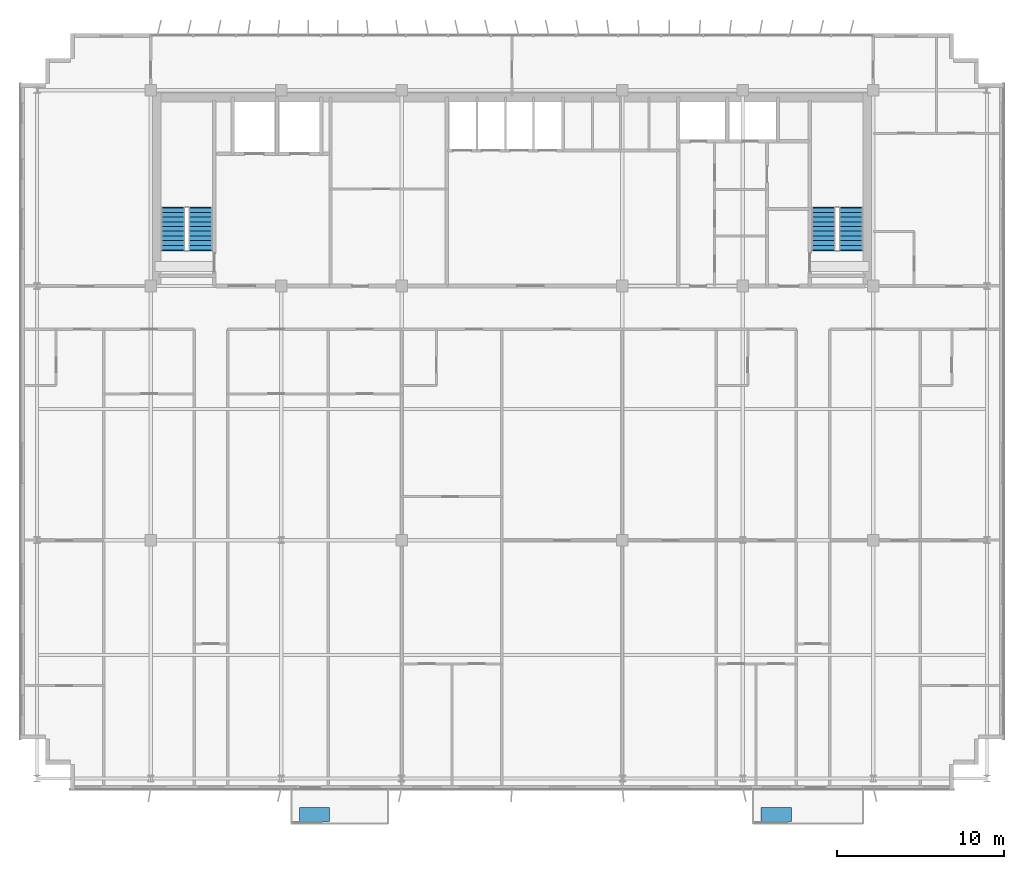
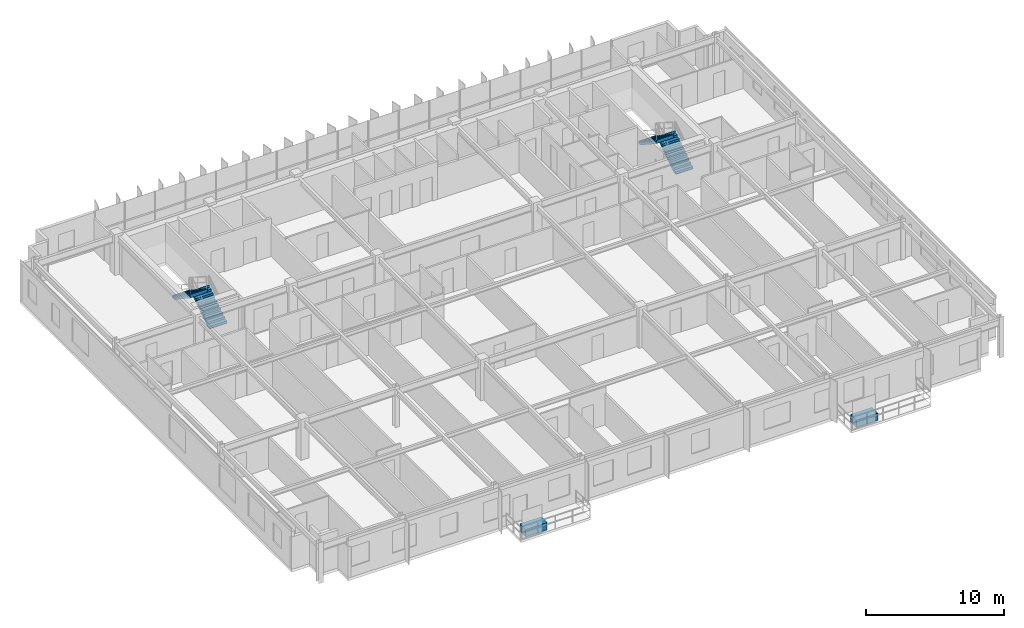
# One storey, part 19 of 21: 4 stair flights, 2 discrete accessories, 2 elements without a shape of their own.
"""IFC4 building model written with IfcOpenShell, lengths in metres."""

from ifc_helpers import new_model, si_unit, direction, frame, origin, origin_2d, place, context, subcontext, project, spatial, polyline, rectangle, outline, extrude, source, transform, mapped, material, type_object, element, aggregate, save


model = new_model("IFC4")

# Units and contexts
model_context = context("Model", 3, precision=1e-05, world=origin(), true_north=direction((0.0, 1.0)))
body_context = subcontext(model_context, "Body", "Model", "MODEL_VIEW")
ifc_project = project(units=[si_unit("LENGTHUNIT", "METRE"), si_unit("AREAUNIT", "SQUARE_METRE"), si_unit("VOLUMEUNIT", "CUBIC_METRE"), si_unit("PLANEANGLEUNIT", "RADIAN"), si_unit("MASSUNIT", "GRAM", prefix="KILO")], contexts=[model_context])

# Site, building, storey
site_placement = place(None, origin())
site = spatial("IfcSite", under=ifc_project, at=site_placement, CompositionType="ELEMENT")
building_placement = place(site_placement, origin())
building = spatial("IfcBuilding", under=site, at=building_placement, Name="Trelvane Seafront Commons", CompositionType="ELEMENT")
storey_placement = place(building_placement, frame((0.0, 0.0, 157.300048828125)))
storey = spatial("IfcBuildingStorey", under=building, at=storey_placement, Name="L41", CompositionType="ELEMENT", Elevation=157.300048828125)

# Stair, stair flights
ifc_material_1 = material(Name="Concrete C40/50", Category="concrete")
stair_type_1 = type_object("IfcStairType", Name="ARCH-STR-ST-1-R20-180", PredefinedType="HALF_TURN_STAIR", material=ifc_material_1)
stair_1_placement = place(storey_placement, origin())
stair_1 = element("IfcStair", 1, at=stair_1_placement, inside=storey, type_object=stair_type_1, Name="L41 West Protected Firefighting Exit Stair ST-1", PredefinedType="HALF_TURN_STAIR")
stair_flight_type_1 = type_object("IfcStairFlightType", Name="ARCH-FLG-ST-1-R20-180", PredefinedType="STRAIGHT", material=ifc_material_1)
shared_shape_1 = source(origin(), body_context, "Body", "SweptSolid", [
    extrude(outline(polyline([(-0.050048828125, -0.02001953125), (-0.050048828125, 0.0), (0.0, 0.0), (0.0, 0.179931640625), (0.280029296875, 0.179931640625), (0.280029296875, 0.360107421875), (0.56005859375, 0.360107421875), (0.56005859375, 0.5400390625), (0.840087890625, 0.5400390625), (0.840087890625, 0.719970703125), (1.1201171875, 0.719970703125), (1.1201171875, 0.89990234375), (1.39990234375, 0.89990234375), (1.39990234375, 1.080078125), (1.679931640625, 1.080078125), (1.679931640625, 1.260009765625), (1.9599609375, 1.260009765625), (1.9599609375, 1.43994140625), (2.239990234375, 1.43994140625), (2.239990234375, 1.6201171875), (2.52001953125, 1.6201171875), (2.52001953125, 1.800048828125), (2.570068359375, 1.800048828125), (2.570068359375, 1.650146484375), (2.52001953125, 1.44189453125), (0.277099609375, -0.02001953125), (-0.050048828125, -0.02001953125)])), frame((0.0, 0.72509765625, 0.0), z_axis=(0.0, -1.0, 0.0), x_axis=(1.0, 0.0, 0.0)), (0.0, 0.0, 1.0), 1.449951171875),
])
stair_flight_1_placement = place(storey_placement, frame((18.574951171875, 35.550048828125, 0.0), z_axis=(0.0, 0.0, 1.0), x_axis=(0.0, 1.0, 0.0)))
stair_flight_1 = element("IfcStairFlight", 2, at=stair_flight_1_placement, type_object=stair_flight_type_1, Name="ST-1 flight 1", NumberOfRisers=10, NumberOfTreads=9, PredefinedType="STRAIGHT", RiserHeight=0.18, TreadLength=0.28, context=body_context, shape_type="MappedRepresentation", body=[
    mapped(shared_shape_1, transform((0.0, 0.0, 0.0), x_axis=(1.0, 0.0, 0.0), y_axis=(0.0, 1.0, 0.0), z_axis=(0.0, 0.0, 1.0), scale=1.0)),
])
stair_flight_2_placement = place(storey_placement, frame((16.925048828125, 38.070068359375, 1.800048828125), z_axis=(0.0, 0.0, 1.0), x_axis=(0.0, -1.0, 0.0)))
stair_flight_2 = element("IfcStairFlight", 3, at=stair_flight_2_placement, type_object=stair_flight_type_1, Name="ST-1 flight 2", NumberOfRisers=10, NumberOfTreads=9, PredefinedType="STRAIGHT", RiserHeight=0.18, TreadLength=0.28, context=body_context, shape_type="MappedRepresentation", body=[
    mapped(shared_shape_1, transform((0.0, 0.0, 0.0), x_axis=(1.0, 0.0, 0.0), y_axis=(0.0, 1.0, 0.0), z_axis=(0.0, 0.0, 1.0), scale=1.0)),
])
aggregate(stair_1, [stair_flight_1, stair_flight_2])

stair_type_2 = type_object("IfcStairType", Name="ARCH-STR-ST-2-R20-180", PredefinedType="HALF_TURN_STAIR", material=ifc_material_1)
stair_2_placement = place(storey_placement, origin())
stair_2 = element("IfcStair", 4, at=stair_2_placement, inside=storey, type_object=stair_type_2, Name="L41 East Protected Firefighting Exit Stair ST-2", PredefinedType="HALF_TURN_STAIR")
stair_flight_type_2 = type_object("IfcStairFlightType", Name="ARCH-FLG-ST-2-R20-180", PredefinedType="STRAIGHT", material=ifc_material_1)
stair_flight_3_placement = place(storey_placement, frame((57.47509765625, 35.550048828125, 0.0), z_axis=(0.0, 0.0, 1.0), x_axis=(0.0, 1.0, 0.0)))
stair_flight_3 = element("IfcStairFlight", 5, at=stair_flight_3_placement, type_object=stair_flight_type_2, Name="ST-2 flight 1", NumberOfRisers=10, NumberOfTreads=9, PredefinedType="STRAIGHT", RiserHeight=0.18, TreadLength=0.28, context=body_context, shape_type="MappedRepresentation", body=[
    mapped(shared_shape_1, transform((0.0, 0.0, 0.0), x_axis=(1.0, 0.0, 0.0), y_axis=(0.0, 1.0, 0.0), z_axis=(0.0, 0.0, 1.0), scale=1.0)),
])
stair_flight_4_placement = place(storey_placement, frame((55.824951171875, 38.070068359375, 1.800048828125), z_axis=(0.0, 0.0, 1.0), x_axis=(0.0, -1.0, 0.0)))
stair_flight_4 = element("IfcStairFlight", 6, at=stair_flight_4_placement, type_object=stair_flight_type_2, Name="ST-2 flight 2", NumberOfRisers=10, NumberOfTreads=9, PredefinedType="STRAIGHT", RiserHeight=0.18, TreadLength=0.28, context=body_context, shape_type="MappedRepresentation", body=[
    mapped(shared_shape_1, transform((0.0, 0.0, 0.0), x_axis=(1.0, 0.0, 0.0), y_axis=(0.0, 1.0, 0.0), z_axis=(0.0, 0.0, 1.0), scale=1.0)),
])
aggregate(stair_2, [stair_flight_3, stair_flight_4])

# Discrete accessories
ifc_material_2 = material(Name="Precast concrete C40/50", Category="concrete")
discrete_accessory_type = type_object("IfcDiscreteAccessoryType", Name="ARCH-ACC-PLANTER", PredefinedType="USERDEFINED", material=ifc_material_2)
shared_shape_2 = source(origin(), body_context, "Body", "SweptSolid", [
    extrude(rectangle(XDim=1.800048828125, YDim=0.85009765625, at=origin_2d()), origin(), (0.0, 0.0, 1.0), 0.64990234375),
])
for number, where, z_axis, x_axis, name in (
    (7, (25.39990234375, 1.800048828125, 0.0), (0.0, 0.0, 1.0), (1.0, 0.0, 0.0), "PLN-L41-B0-046"),
    (8, (53.0, 1.800048828125, 0.0), (0.0, 0.0, 1.0), (1.0, 0.0, 0.0), "PLN-L41-B1-047"),
):
    element("IfcDiscreteAccessory", number, at=place(storey_placement, frame(where, z_axis=z_axis, x_axis=x_axis)), inside=storey, type_object=discrete_accessory_type, Name=name, ObjectType="BALCONY TREE PLANTER", PredefinedType="USERDEFINED", context=body_context, shape_type="MappedRepresentation", body=[
        mapped(shared_shape_2, transform((0.0, 0.0, 0.0), x_axis=(1.0, 0.0, 0.0), y_axis=(0.0, 1.0, 0.0), z_axis=(0.0, 0.0, 1.0), scale=1.0)),
    ])

save(model, "model.ifc")
